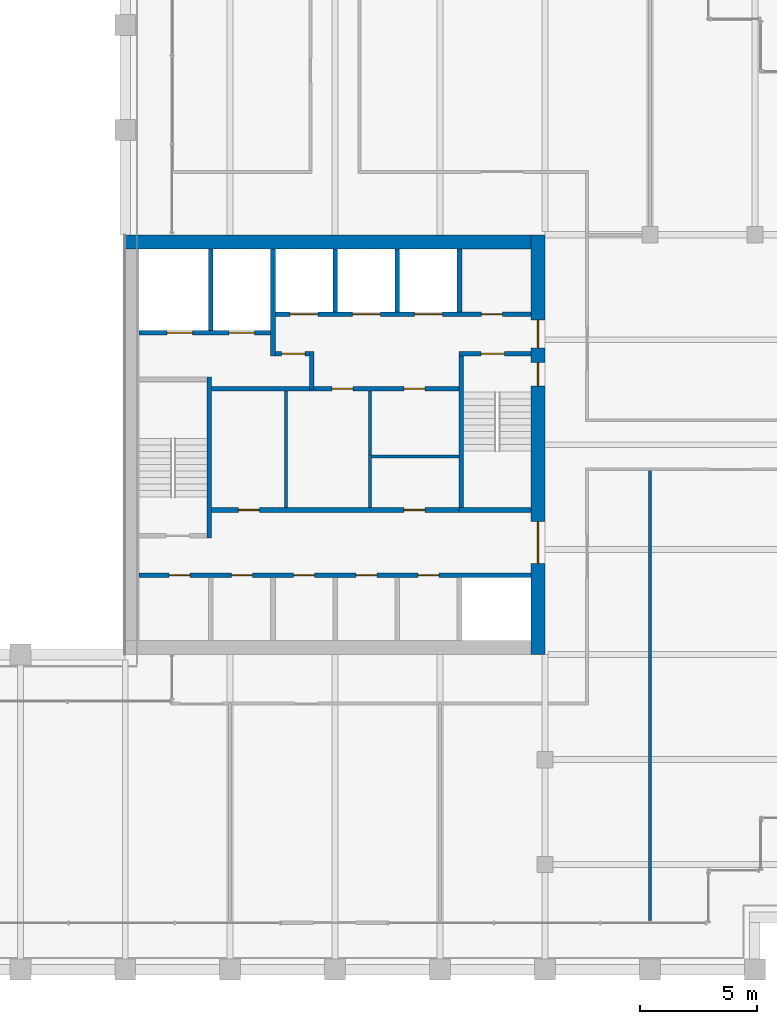
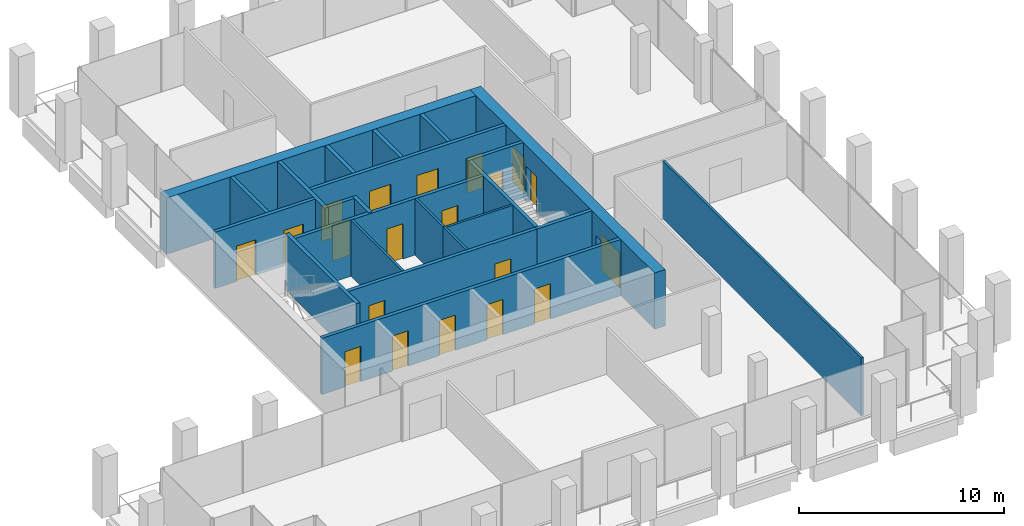
# One storey, part 36 of 40: 23 walls, 20 doors, 20 openings.
"""IFC4 building model written with IfcOpenShell, lengths in metres."""

from ifc_helpers import new_model, si_unit, direction, frame, frame_2d, origin, place, context, subcontext, project, spatial, rectangle, extrude, material, layer, layer_set, type_object, element, fill, save


model = new_model("IFC4")

# Units and contexts
model_context = context("Model", 3, precision=1e-05, world=origin(), true_north=direction((0.0, 1.0)))
body_context = subcontext(model_context, "Body", "Model", "MODEL_VIEW")
ifc_project = project(units=[si_unit("LENGTHUNIT", "METRE"), si_unit("AREAUNIT", "SQUARE_METRE"), si_unit("VOLUMEUNIT", "CUBIC_METRE"), si_unit("PLANEANGLEUNIT", "RADIAN"), si_unit("MASSUNIT", "GRAM", prefix="KILO")], contexts=[model_context])

# Site, building, storey
site_placement = place(None, origin())
site = spatial("IfcSite", under=ifc_project, at=site_placement, CompositionType="ELEMENT")
building_placement = place(site_placement, origin())
building = spatial("IfcBuilding", under=site, at=building_placement, Name="Altepetl Exchange Towers", CompositionType="ELEMENT")
storey_placement = place(building_placement, frame((0.0, 0.0, 161.800048828125)))
storey = spatial("IfcBuildingStorey", under=building, at=storey_placement, Name="L40", CompositionType="ELEMENT", Elevation=161.800048828125)

# Wall, openings, doors
ifc_material_1 = material(Name="Concrete C70/85", Category="concrete")
ifc_layer_1 = layer(ifc_material_1, 0.60009765625)
ifc_layer_set_1 = layer_set([ifc_layer_1], Name="Concrete C70/85")
wall_type_1 = type_object("IfcWallType", Name="Core wall 600 reinforced concrete", PredefinedType="SHEAR", material=ifc_layer_set_1)
wall_1_placement = place(storey_placement, frame((58.199951171875, 40.5, 0.0), z_axis=(0.0, 0.0, 1.0), x_axis=(0.0, 1.0, 0.0)))
wall_1 = element("IfcWall", 1, at=wall_1_placement, inside=storey, type_object=wall_type_1, Name="wall:A:L40:K-coreE", PredefinedType="SHEAR", context=body_context, shape_type="SweptSolid", body=[
    extrude(rectangle(XDim=18.0, YDim=0.60009765625, at=frame_2d((9.0, 0.0))), origin(), (0.0, 0.0, 1.0), 3.349853515625),
])
opening_1_placement = place(wall_1_placement, frame((13.14990234375, 0.0, 0.0)))
opening_1 = element("IfcOpeningElement", 2, at=opening_1_placement, cuts=wall_1, Name="Opening L40.A60", PredefinedType="OPENING", context=body_context, shape_type="SweptSolid", body=[
    extrude(rectangle(XDim=1.199951171875, YDim=2.10009765625, at=frame_2d((0.60009765625, 1.050048828125))), frame((0.0, 0.31005859375, 0.0), z_axis=(0.0, -1.0, 0.0), x_axis=(1.0, 0.0, 0.0)), (0.0, 0.0, 1.0), 0.6201171875),
])
opening_2_placement = place(wall_1_placement, frame((3.89990234375, 0.0, 0.0)))
opening_2 = element("IfcOpeningElement", 3, at=opening_2_placement, cuts=wall_1, Name="Opening L40.A61", PredefinedType="OPENING", context=body_context, shape_type="SweptSolid", body=[
    extrude(rectangle(XDim=1.800048828125, YDim=2.10009765625, at=frame_2d((0.89990234375, 1.050048828125))), frame((0.0, 0.31005859375, 0.0), z_axis=(0.0, -1.0, 0.0), x_axis=(1.0, 0.0, 0.0)), (0.0, 0.0, 1.0), 0.6201171875),
])
opening_3_placement = place(wall_1_placement, frame((11.52490234375, 0.0, 0.0)))
opening_3 = element("IfcOpeningElement", 4, at=opening_3_placement, cuts=wall_1, Name="Opening L40.A64", PredefinedType="OPENING", context=body_context, shape_type="SweptSolid", body=[
    extrude(rectangle(XDim=1.0, YDim=2.10009765625, at=frame_2d((0.5, 1.050048828125))), frame((0.0, 0.31005859375, 0.0), z_axis=(0.0, -1.0, 0.0), x_axis=(1.0, 0.0, 0.0)), (0.0, 0.0, 1.0), 0.6201171875),
])
ifc_material_2 = material(Name="Steel and timber fire door", Category="steel")
door_type_1 = type_object("IfcDoorType", Name="Fire door 1000 x 2100 stair and lobby", OperationType="SINGLE_SWING_LEFT", PredefinedType="DOOR", material=ifc_material_2)
door_1_placement = place(opening_3_placement, origin())
door_1 = element("IfcDoor", 5, at=door_1_placement, inside=storey, type_object=door_type_1, Name="door:A:L40:K-dS2x", OperationType="SINGLE_SWING_RIGHT", OverallHeight=2.10009765625, OverallWidth=1.0, PredefinedType="DOOR", context=body_context, shape_type="SweptSolid", body=[
    extrude(rectangle(XDim=1.0, YDim=2.10009765625, at=frame_2d((0.5, 1.050048828125))), frame((0.0, 0.02490234375, 0.0), z_axis=(0.0, -1.0, 0.0), x_axis=(1.0, 0.0, 0.0)), (0.0, 0.0, 1.0), 0.050048828125),
])
fill(opening_3, door_1)
door_type_2 = type_object("IfcDoorType", Name="Fire door 1200 x 2100 lobby entry", OperationType="SINGLE_SWING_LEFT", PredefinedType="DOOR", material=ifc_material_2)
door_2_placement = place(opening_1_placement, origin())
door_2 = element("IfcDoor", 6, at=door_2_placement, inside=storey, type_object=door_type_2, Name="door:A:L40:K-dLNE", OperationType="SINGLE_SWING_RIGHT", OverallHeight=2.10009765625, OverallWidth=1.199951171875, PredefinedType="DOOR", context=body_context, shape_type="SweptSolid", body=[
    extrude(rectangle(XDim=1.199951171875, YDim=2.10009765625, at=frame_2d((0.60009765625, 1.050048828125))), frame((0.0, 0.02490234375, 0.0), z_axis=(0.0, -1.0, 0.0), x_axis=(1.0, 0.0, 0.0)), (0.0, 0.0, 1.0), 0.050048828125),
])
fill(opening_1, door_2)
door_type_3 = type_object("IfcDoorType", Name="Fire door 1800 x 2100 lobby entry", OperationType="DOUBLE_DOOR_SINGLE_SWING", PredefinedType="DOOR", material=ifc_material_2)
door_3_placement = place(opening_2_placement, origin())
door_3 = element("IfcDoor", 7, at=door_3_placement, inside=storey, type_object=door_type_3, Name="door:A:L40:K-dLSE", OperationType="DOUBLE_DOOR_SINGLE_SWING", OverallHeight=2.10009765625, OverallWidth=1.800048828125, PredefinedType="DOOR", context=body_context, shape_type="SweptSolid", body=[
    extrude(rectangle(XDim=1.800048828125, YDim=2.10009765625, at=frame_2d((0.89990234375, 1.050048828125))), frame((0.0, 0.02490234375, 0.0), z_axis=(0.0, -1.0, 0.0), x_axis=(1.0, 0.0, 0.0)), (0.0, 0.0, 1.0), 0.050048828125),
])
fill(opening_2, door_3)

# Walls
wall_2_placement = place(storey_placement, frame((40.5, 58.199951171875, 0.0)))
element("IfcWall", 8, at=wall_2_placement, inside=storey, type_object=wall_type_1, Name="wall:A:L40:K-coreN", PredefinedType="SHEAR", context=body_context, shape_type="SweptSolid", body=[
    extrude(rectangle(XDim=17.39990234375, YDim=0.60009765625, at=frame_2d((8.699951171875, 0.0))), origin(), (0.0, 0.0, 1.0), 3.349853515625),
])
ifc_material_3 = material(Name="Concrete blockwork", Category="masonry")
ifc_layer_2 = layer(ifc_material_3, 0.199951171875)
ifc_layer_set_2 = layer_set([ifc_layer_2], Name="Concrete blockwork")
wall_type_2 = type_object("IfcWallType", Name="Lobby wall 200 blockwork", PredefinedType="PARTITIONING", material=ifc_layer_set_2)
wall_3_placement = place(storey_placement, frame((48.5, 51.89990234375, 0.0), z_axis=(0.0, 0.0, 1.0), x_axis=(0.0, 1.0, 0.0)))
element("IfcWall", 9, at=wall_3_placement, inside=storey, type_object=wall_type_2, Name="wall:A:L40:K-ffE", PredefinedType="PARTITIONING", context=body_context, shape_type="SweptSolid", body=[
    extrude(rectangle(XDim=1.60009765625, YDim=0.199951171875, at=frame_2d((0.800048828125, 0.0))), origin(), (0.0, 0.0, 1.0), 3.349853515625),
])

# Wall, opening, door
wall_4_placement = place(storey_placement, frame((46.933349609375, 53.39990234375, 0.0)))
wall_4 = element("IfcWall", 10, at=wall_4_placement, inside=storey, type_object=wall_type_2, Name="wall:A:L40:K-ffN", PredefinedType="PARTITIONING", context=body_context, shape_type="SweptSolid", body=[
    extrude(rectangle(XDim=1.466552734375, YDim=0.199951171875, at=frame_2d((0.7333984375, 0.0))), origin(), (0.0, 0.0, 1.0), 3.349853515625),
])
opening_4_placement = place(wall_4_placement, frame((0.2666015625, 0.0, 0.0)))
opening_4 = element("IfcOpeningElement", 11, at=opening_4_placement, cuts=wall_4, Name="Opening L40.A65", PredefinedType="OPENING", context=body_context, shape_type="SweptSolid", body=[
    extrude(rectangle(XDim=1.0, YDim=2.10009765625, at=frame_2d((0.5, 1.050048828125))), frame((0.0, 0.10986328125, 0.0), z_axis=(0.0, -1.0, 0.0), x_axis=(1.0, 0.0, 0.0)), (0.0, 0.0, 1.0), 0.219970703125),
])
door_4_placement = place(opening_4_placement, frame((1.0, 0.0, 0.0), x_axis=(-1.0, 0.0, 0.0)))
door_4 = element("IfcDoor", 12, at=door_4_placement, inside=storey, type_object=door_type_1, Name="door:A:L40:K-dffN", OperationType="SINGLE_SWING_LEFT", OverallHeight=2.10009765625, OverallWidth=1.0, PredefinedType="DOOR", context=body_context, shape_type="SweptSolid", body=[
    extrude(rectangle(XDim=1.0, YDim=2.10009765625, at=frame_2d((0.5, 1.050048828125))), frame((0.0, 0.02490234375, 0.0), z_axis=(0.0, -1.0, 0.0), x_axis=(1.0, 0.0, 0.0)), (0.0, 0.0, 1.0), 0.050048828125),
])
fill(opening_4, door_4)

# Wall, openings, doors
wall_5_placement = place(storey_placement, frame((44.199951171875, 51.89990234375, 0.0)))
wall_5 = element("IfcWall", 13, at=wall_5_placement, inside=storey, type_object=wall_type_2, Name="wall:A:L40:K-zoneN", PredefinedType="PARTITIONING", context=body_context, shape_type="SweptSolid", body=[
    extrude(rectangle(XDim=10.60009765625, YDim=0.199951171875, at=frame_2d((5.300048828125, 0.0))), origin(), (0.0, 0.0, 1.0), 3.349853515625),
])
opening_5_placement = place(wall_5_placement, frame((5.175048828125, 0.0, 0.0)))
opening_5 = element("IfcOpeningElement", 14, at=opening_5_placement, cuts=wall_5, Name="Opening L40.A73", PredefinedType="OPENING", context=body_context, shape_type="SweptSolid", body=[
    extrude(rectangle(XDim=0.89990234375, YDim=2.10009765625, at=frame_2d((0.449951171875, 1.050048828125))), frame((0.0, 0.10986328125, 0.0), z_axis=(0.0, -1.0, 0.0), x_axis=(1.0, 0.0, 0.0)), (0.0, 0.0, 1.0), 0.219970703125),
])
opening_6_placement = place(wall_5_placement, frame((8.25, 0.0, 0.0)))
opening_6 = element("IfcOpeningElement", 15, at=opening_6_placement, cuts=wall_5, Name="Opening L40.A75", PredefinedType="OPENING", context=body_context, shape_type="SweptSolid", body=[
    extrude(rectangle(XDim=0.89990234375, YDim=2.10009765625, at=frame_2d((0.449951171875, 1.050048828125))), frame((0.0, 0.10986328125, 0.0), z_axis=(0.0, -1.0, 0.0), x_axis=(1.0, 0.0, 0.0)), (0.0, 0.0, 1.0), 0.219970703125),
])
door_type_4 = type_object("IfcDoorType", Name="Fire door 900 x 2100 service room", OperationType="SINGLE_SWING_LEFT", PredefinedType="DOOR", material=ifc_material_2)
door_5_placement = place(opening_5_placement, frame((0.89990234375, 0.0, 0.0), x_axis=(-1.0, 0.0, 0.0)))
door_5 = element("IfcDoor", 16, at=door_5_placement, inside=storey, type_object=door_type_4, Name="door:A:L40:K-dz2", OperationType="SINGLE_SWING_LEFT", OverallHeight=2.10009765625, OverallWidth=0.89990234375, PredefinedType="DOOR", context=body_context, shape_type="SweptSolid", body=[
    extrude(rectangle(XDim=0.89990234375, YDim=2.10009765625, at=frame_2d((0.449951171875, 1.050048828125))), frame((0.0, 0.02490234375, 0.0), z_axis=(0.0, -1.0, 0.0), x_axis=(1.0, 0.0, 0.0)), (0.0, 0.0, 1.0), 0.050048828125),
])
fill(opening_5, door_5)
door_6_placement = place(opening_6_placement, frame((0.89990234375, 0.0, 0.0), x_axis=(-1.0, 0.0, 0.0)))
door_6 = element("IfcDoor", 17, at=door_6_placement, inside=storey, type_object=door_type_4, Name="door:A:L40:K-dz4", OperationType="SINGLE_SWING_LEFT", OverallHeight=2.10009765625, OverallWidth=0.89990234375, PredefinedType="DOOR", context=body_context, shape_type="SweptSolid", body=[
    extrude(rectangle(XDim=0.89990234375, YDim=2.10009765625, at=frame_2d((0.449951171875, 1.050048828125))), frame((0.0, 0.02490234375, 0.0), z_axis=(0.0, -1.0, 0.0), x_axis=(1.0, 0.0, 0.0)), (0.0, 0.0, 1.0), 0.050048828125),
])
fill(opening_6, door_6)

wall_6_placement = place(storey_placement, frame((44.199951171875, 46.699951171875, 0.0)))
wall_6 = element("IfcWall", 18, at=wall_6_placement, inside=storey, type_object=wall_type_2, Name="wall:A:L40:K-zoneS", PredefinedType="PARTITIONING", context=body_context, shape_type="SweptSolid", body=[
    extrude(rectangle(XDim=10.60009765625, YDim=0.199951171875, at=frame_2d((5.300048828125, 0.0))), origin(), (0.0, 0.0, 1.0), 3.349853515625),
])
opening_7_placement = place(wall_6_placement, frame((1.14990234375, 0.0, 0.0)))
opening_7 = element("IfcOpeningElement", 19, at=opening_7_placement, cuts=wall_6, Name="Opening L40.A72", PredefinedType="OPENING", context=body_context, shape_type="SweptSolid", body=[
    extrude(rectangle(XDim=0.89990234375, YDim=2.10009765625, at=frame_2d((0.449951171875, 1.050048828125))), frame((0.0, 0.10986328125, 0.0), z_axis=(0.0, -1.0, 0.0), x_axis=(1.0, 0.0, 0.0)), (0.0, 0.0, 1.0), 0.219970703125),
])
opening_8_placement = place(wall_6_placement, frame((8.25, 0.0, 0.0)))
opening_8 = element("IfcOpeningElement", 20, at=opening_8_placement, cuts=wall_6, Name="Opening L40.A74", PredefinedType="OPENING", context=body_context, shape_type="SweptSolid", body=[
    extrude(rectangle(XDim=0.89990234375, YDim=2.10009765625, at=frame_2d((0.449951171875, 1.050048828125))), frame((0.0, 0.10986328125, 0.0), z_axis=(0.0, -1.0, 0.0), x_axis=(1.0, 0.0, 0.0)), (0.0, 0.0, 1.0), 0.219970703125),
])
door_7_placement = place(opening_7_placement, origin())
door_7 = element("IfcDoor", 21, at=door_7_placement, inside=storey, type_object=door_type_4, Name="door:A:L40:K-dz1", OperationType="SINGLE_SWING_RIGHT", OverallHeight=2.10009765625, OverallWidth=0.89990234375, PredefinedType="DOOR", context=body_context, shape_type="SweptSolid", body=[
    extrude(rectangle(XDim=0.89990234375, YDim=2.10009765625, at=frame_2d((0.449951171875, 1.050048828125))), frame((0.0, 0.02490234375, 0.0), z_axis=(0.0, -1.0, 0.0), x_axis=(1.0, 0.0, 0.0)), (0.0, 0.0, 1.0), 0.050048828125),
])
fill(opening_7, door_7)
door_8_placement = place(opening_8_placement, origin())
door_8 = element("IfcDoor", 22, at=door_8_placement, inside=storey, type_object=door_type_4, Name="door:A:L40:K-dz3", OperationType="SINGLE_SWING_RIGHT", OverallHeight=2.10009765625, OverallWidth=0.89990234375, PredefinedType="DOOR", context=body_context, shape_type="SweptSolid", body=[
    extrude(rectangle(XDim=0.89990234375, YDim=2.10009765625, at=frame_2d((0.449951171875, 1.050048828125))), frame((0.0, 0.02490234375, 0.0), z_axis=(0.0, -1.0, 0.0), x_axis=(1.0, 0.0, 0.0)), (0.0, 0.0, 1.0), 0.050048828125),
])
fill(opening_8, door_8)

# Walls
ifc_material_4 = material(Name="Gypsum board on steel studs", Category="steel")
ifc_layer_3 = layer(ifc_material_4, 0.125)
ifc_layer_set_3 = layer_set([ifc_layer_3], Name="Gypsum board on steel studs")
wall_type_3 = type_object("IfcWallType", Name="Partition 125 gypsum board on steel studs", PredefinedType="PARTITIONING", material=ifc_layer_set_3)
wall_7_placement = place(storey_placement, frame((47.39990234375, 46.800048828125, 0.0), z_axis=(0.0, 0.0, 1.0), x_axis=(0.0, 1.0, 0.0)))
element("IfcWall", 23, at=wall_7_placement, inside=storey, type_object=wall_type_3, Name="wall:A:L40:K-zp1", PredefinedType="PARTITIONING", context=body_context, shape_type="SweptSolid", body=[
    extrude(rectangle(XDim=5.0, YDim=0.125, at=frame_2d((2.5, 0.0))), origin(), (0.0, 0.0, 1.0), 3.349853515625),
])
wall_8_placement = place(storey_placement, frame((51.0, 46.800048828125, 0.0), z_axis=(0.0, 0.0, 1.0), x_axis=(0.0, 1.0, 0.0)))
element("IfcWall", 24, at=wall_8_placement, inside=storey, type_object=wall_type_3, Name="wall:A:L40:K-zp2", PredefinedType="PARTITIONING", context=body_context, shape_type="SweptSolid", body=[
    extrude(rectangle(XDim=2.262451171875, YDim=0.125, at=frame_2d((1.13134765625, 0.0))), origin(), (0.0, 0.0, 1.0), 3.349853515625),
])
wall_9_placement = place(storey_placement, frame((54.800048828125, 49.0, 0.0), z_axis=(0.0, 0.0, 1.0), x_axis=(-1.0, 0.0, 0.0)))
element("IfcWall", 25, at=wall_9_placement, inside=storey, type_object=wall_type_3, Name="wall:A:L40:K-zp3", PredefinedType="PARTITIONING", context=body_context, shape_type="SweptSolid", body=[
    extrude(rectangle(XDim=3.737548828125, YDim=0.125, at=frame_2d((1.86865234375, 0.0))), origin(), (0.0, 0.0, 1.0), 3.349853515625),
])
wall_10_placement = place(storey_placement, frame((51.0, 49.0, 0.0), z_axis=(0.0, 0.0, 1.0), x_axis=(0.0, 1.0, 0.0)))
element("IfcWall", 26, at=wall_10_placement, inside=storey, type_object=wall_type_3, Name="wall:A:L40:K-zp4", PredefinedType="PARTITIONING", context=body_context, shape_type="SweptSolid", body=[
    extrude(rectangle(XDim=2.800048828125, YDim=0.125, at=frame_2d((1.39990234375, 0.0))), origin(), (0.0, 0.0, 1.0), 3.349853515625),
])
wall_11_placement = place(storey_placement, frame((63.0, 29.10009765625, 0.0), z_axis=(0.0, 0.0, 1.0), x_axis=(0.0, 1.0, 0.0)))
element("IfcWall", 27, at=wall_11_placement, inside=storey, type_object=wall_type_3, Name="wall:A:L40:P13", PredefinedType="PARTITIONING", context=body_context, shape_type="SweptSolid", body=[
    extrude(rectangle(XDim=19.349853515625, YDim=0.125, at=frame_2d((9.6748046875, 0.0))), origin(), (0.0, 0.0, 1.0), 3.449951171875),
])
ifc_material_5 = material(Name="Concrete C40/50", Category="concrete")
ifc_layer_4 = layer(ifc_material_5, 0.199951171875)
ifc_layer_set_4 = layer_set([ifc_layer_4], Name="Concrete C40/50")
wall_type_4 = type_object("IfcWallType", Name="Shaft wall 200 reinforced concrete", PredefinedType="SHEAR", material=ifc_layer_set_4)
wall_12_placement = place(storey_placement, frame((44.166748046875, 57.89990234375, 0.0), z_axis=(0.0, 0.0, 1.0), x_axis=(0.0, -1.0, 0.0)))
element("IfcWall", 28, at=wall_12_placement, inside=storey, type_object=wall_type_4, Name="wall:A:L40:K-divN1", PredefinedType="SHEAR", context=body_context, shape_type="SweptSolid", body=[
    extrude(rectangle(XDim=3.5, YDim=0.199951171875, at=frame_2d((1.75, 0.0))), origin(), (0.0, 0.0, 1.0), 3.349853515625),
])
wall_13_placement = place(storey_placement, frame((46.833251953125, 57.89990234375, 0.0), z_axis=(0.0, 0.0, 1.0), x_axis=(0.0, -1.0, 0.0)))
element("IfcWall", 29, at=wall_13_placement, inside=storey, type_object=wall_type_4, Name="wall:A:L40:K-divN2", PredefinedType="SHEAR", context=body_context, shape_type="SweptSolid", body=[
    extrude(rectangle(XDim=4.599853515625, YDim=0.199951171875, at=frame_2d((2.2998046875, 0.0))), origin(), (0.0, 0.0, 1.0), 3.349853515625),
])
for number, where, z_axis, x_axis, name in (
    (30, (49.5, 57.89990234375, 0.0), (0.0, 0.0, 1.0), (0.0, -1.0, 0.0), "wall:A:L40:K-divN3"),
    (31, (52.166748046875, 57.89990234375, 0.0), (0.0, 0.0, 1.0), (0.0, -1.0, 0.0), "wall:A:L40:K-divN4"),
    (32, (54.833251953125, 57.89990234375, 0.0), (0.0, 0.0, 1.0), (0.0, -1.0, 0.0), "wall:A:L40:K-divN5"),
):
    element("IfcWall", number, at=place(storey_placement, frame(where, z_axis=z_axis, x_axis=x_axis)), inside=storey, type_object=wall_type_4, Name=name, PredefinedType="SHEAR", context=body_context, shape_type="SweptSolid", body=[
        extrude(rectangle(XDim=2.699951171875, YDim=0.199951171875, at=frame_2d((1.35009765625, 0.0))), origin(), (0.0, 0.0, 1.0), 3.349853515625),
    ])

# Wall, openings, doors
wall_14_placement = place(storey_placement, frame((46.933349609375, 55.10009765625, 0.0)))
wall_14 = element("IfcWall", 33, at=wall_14_placement, inside=storey, type_object=wall_type_4, Name="wall:A:L40:K-frontNb", PredefinedType="SHEAR", context=body_context, shape_type="SweptSolid", body=[
    extrude(rectangle(XDim=10.966552734375, YDim=0.199951171875, at=frame_2d((5.4833984375, 0.0))), origin(), (0.0, 0.0, 1.0), 3.349853515625),
])
opening_9_placement = place(wall_14_placement, frame((8.83349609375, 0.0, 0.0)))
opening_9 = element("IfcOpeningElement", 34, at=opening_9_placement, cuts=wall_14, Name="Opening L40.A66", PredefinedType="OPENING", context=body_context, shape_type="SweptSolid", body=[
    extrude(rectangle(XDim=0.89990234375, YDim=2.10009765625, at=frame_2d((0.449951171875, 1.050048828125))), frame((0.0, 0.10986328125, 0.0), z_axis=(0.0, -1.0, 0.0), x_axis=(1.0, 0.0, 0.0)), (0.0, 0.0, 1.0), 0.219970703125),
])
opening_10_placement = place(wall_14_placement, frame((0.63330078125, 0.0, 0.0)))
opening_10 = element("IfcOpeningElement", 35, at=opening_10_placement, cuts=wall_14, Name="Opening L40.A78", PredefinedType="OPENING", context=body_context, shape_type="SweptSolid", body=[
    extrude(rectangle(XDim=1.199951171875, YDim=2.10009765625, at=frame_2d((0.60009765625, 1.050048828125))), frame((0.0, 0.10986328125, 0.0), z_axis=(0.0, -1.0, 0.0), x_axis=(1.0, 0.0, 0.0)), (0.0, 0.0, 1.0), 0.219970703125),
])
opening_11_placement = place(wall_14_placement, frame((3.300048828125, 0.0, 0.0)))
opening_11 = element("IfcOpeningElement", 36, at=opening_11_placement, cuts=wall_14, Name="Opening L40.A79", PredefinedType="OPENING", context=body_context, shape_type="SweptSolid", body=[
    extrude(rectangle(XDim=1.199951171875, YDim=2.10009765625, at=frame_2d((0.60009765625, 1.050048828125))), frame((0.0, 0.10986328125, 0.0), z_axis=(0.0, -1.0, 0.0), x_axis=(1.0, 0.0, 0.0)), (0.0, 0.0, 1.0), 0.219970703125),
])
opening_12_placement = place(wall_14_placement, frame((5.966796875, 0.0, 0.0)))
opening_12 = element("IfcOpeningElement", 37, at=opening_12_placement, cuts=wall_14, Name="Opening L40.A80", PredefinedType="OPENING", context=body_context, shape_type="SweptSolid", body=[
    extrude(rectangle(XDim=1.199951171875, YDim=2.10009765625, at=frame_2d((0.60009765625, 1.050048828125))), frame((0.0, 0.10986328125, 0.0), z_axis=(0.0, -1.0, 0.0), x_axis=(1.0, 0.0, 0.0)), (0.0, 0.0, 1.0), 0.219970703125),
])
door_9_placement = place(opening_9_placement, origin())
door_9 = element("IfcDoor", 38, at=door_9_placement, inside=storey, type_object=door_type_4, Name="door:A:L40:K-driser", OperationType="SINGLE_SWING_RIGHT", OverallHeight=2.10009765625, OverallWidth=0.89990234375, PredefinedType="DOOR", context=body_context, shape_type="SweptSolid", body=[
    extrude(rectangle(XDim=0.89990234375, YDim=2.10009765625, at=frame_2d((0.449951171875, 1.050048828125))), frame((0.0, 0.02490234375, 0.0), z_axis=(0.0, -1.0, 0.0), x_axis=(1.0, 0.0, 0.0)), (0.0, 0.0, 1.0), 0.050048828125),
])
fill(opening_9, door_9)
ifc_material_6 = material(Name="Stainless steel", Category="steel")
door_type_5 = type_object("IfcDoorType", Name="Lift landing door 1200 x 2100", OperationType="SLIDING_TO_LEFT", PredefinedType="DOOR", material=ifc_material_6)
door_10_placement = place(opening_10_placement, origin())
door_10 = element("IfcDoor", 39, at=door_10_placement, inside=storey, type_object=door_type_5, Name="Landing door P5", OperationType="SLIDING_TO_LEFT", OverallHeight=2.10009765625, OverallWidth=1.199951171875, PredefinedType="DOOR", context=body_context, shape_type="SweptSolid", body=[
    extrude(rectangle(XDim=1.199951171875, YDim=2.10009765625, at=frame_2d((0.60009765625, 1.050048828125))), frame((0.0, 0.02490234375, 0.0), z_axis=(0.0, -1.0, 0.0), x_axis=(1.0, 0.0, 0.0)), (0.0, 0.0, 1.0), 0.050048828125),
])
fill(opening_10, door_10)
door_11_placement = place(opening_11_placement, origin())
door_11 = element("IfcDoor", 40, at=door_11_placement, inside=storey, type_object=door_type_5, Name="Landing door P6", OperationType="SLIDING_TO_LEFT", OverallHeight=2.10009765625, OverallWidth=1.199951171875, PredefinedType="DOOR", context=body_context, shape_type="SweptSolid", body=[
    extrude(rectangle(XDim=1.199951171875, YDim=2.10009765625, at=frame_2d((0.60009765625, 1.050048828125))), frame((0.0, 0.02490234375, 0.0), z_axis=(0.0, -1.0, 0.0), x_axis=(1.0, 0.0, 0.0)), (0.0, 0.0, 1.0), 0.050048828125),
])
fill(opening_11, door_11)
door_12_placement = place(opening_12_placement, origin())
door_12 = element("IfcDoor", 41, at=door_12_placement, inside=storey, type_object=door_type_5, Name="Landing door P7", OperationType="SLIDING_TO_LEFT", OverallHeight=2.10009765625, OverallWidth=1.199951171875, PredefinedType="DOOR", context=body_context, shape_type="SweptSolid", body=[
    extrude(rectangle(XDim=1.199951171875, YDim=2.10009765625, at=frame_2d((0.60009765625, 1.050048828125))), frame((0.0, 0.02490234375, 0.0), z_axis=(0.0, -1.0, 0.0), x_axis=(1.0, 0.0, 0.0)), (0.0, 0.0, 1.0), 0.050048828125),
])
fill(opening_12, door_12)

wall_15_placement = place(storey_placement, frame((41.10009765625, 54.300048828125, 0.0)))
wall_15 = element("IfcWall", 42, at=wall_15_placement, inside=storey, type_object=wall_type_4, Name="wall:A:L40:K-frontNd", PredefinedType="SHEAR", context=body_context, shape_type="SweptSolid", body=[
    extrude(rectangle(XDim=5.63330078125, YDim=0.199951171875, at=frame_2d((2.816650390625, 0.0))), origin(), (0.0, 0.0, 1.0), 3.349853515625),
])
opening_13_placement = place(wall_15_placement, frame((1.183349609375, 0.0, 0.0)))
opening_13 = element("IfcOpeningElement", 43, at=opening_13_placement, cuts=wall_15, Name="Opening L40.A76", PredefinedType="OPENING", context=body_context, shape_type="SweptSolid", body=[
    extrude(rectangle(XDim=1.10009765625, YDim=2.10009765625, at=frame_2d((0.550048828125, 1.050048828125))), frame((0.0, 0.10986328125, 0.0), z_axis=(0.0, -1.0, 0.0), x_axis=(1.0, 0.0, 0.0)), (0.0, 0.0, 1.0), 0.219970703125),
])
opening_14_placement = place(wall_15_placement, frame((3.85009765625, 0.0, 0.0)))
opening_14 = element("IfcOpeningElement", 44, at=opening_14_placement, cuts=wall_15, Name="Opening L40.A77", PredefinedType="OPENING", context=body_context, shape_type="SweptSolid", body=[
    extrude(rectangle(XDim=1.10009765625, YDim=2.10009765625, at=frame_2d((0.550048828125, 1.050048828125))), frame((0.0, 0.10986328125, 0.0), z_axis=(0.0, -1.0, 0.0), x_axis=(1.0, 0.0, 0.0)), (0.0, 0.0, 1.0), 0.219970703125),
])
door_type_6 = type_object("IfcDoorType", Name="Lift landing door 1100 x 2100", OperationType="SLIDING_TO_LEFT", PredefinedType="DOOR", material=ifc_material_6)
door_13_placement = place(opening_13_placement, origin())
door_13 = element("IfcDoor", 45, at=door_13_placement, inside=storey, type_object=door_type_6, Name="Landing door FFL1", OperationType="SLIDING_TO_LEFT", OverallHeight=2.10009765625, OverallWidth=1.10009765625, PredefinedType="DOOR", context=body_context, shape_type="SweptSolid", body=[
    extrude(rectangle(XDim=1.10009765625, YDim=2.10009765625, at=frame_2d((0.550048828125, 1.050048828125))), frame((0.0, 0.02490234375, 0.0), z_axis=(0.0, -1.0, 0.0), x_axis=(1.0, 0.0, 0.0)), (0.0, 0.0, 1.0), 0.050048828125),
])
fill(opening_13, door_13)
door_14_placement = place(opening_14_placement, origin())
door_14 = element("IfcDoor", 46, at=door_14_placement, inside=storey, type_object=door_type_6, Name="Landing door FFL2", OperationType="SLIDING_TO_LEFT", OverallHeight=2.10009765625, OverallWidth=1.10009765625, PredefinedType="DOOR", context=body_context, shape_type="SweptSolid", body=[
    extrude(rectangle(XDim=1.10009765625, YDim=2.10009765625, at=frame_2d((0.550048828125, 1.050048828125))), frame((0.0, 0.02490234375, 0.0), z_axis=(0.0, -1.0, 0.0), x_axis=(1.0, 0.0, 0.0)), (0.0, 0.0, 1.0), 0.050048828125),
])
fill(opening_14, door_14)

wall_16_placement = place(storey_placement, frame((41.10009765625, 43.89990234375, 0.0)))
wall_16 = element("IfcWall", 47, at=wall_16_placement, inside=storey, type_object=wall_type_4, Name="wall:A:L40:K-frontS", PredefinedType="SHEAR", context=body_context, shape_type="SweptSolid", body=[
    extrude(rectangle(XDim=16.7998046875, YDim=0.199951171875, at=frame_2d((8.39990234375, 0.0))), origin(), (0.0, 0.0, 1.0), 3.349853515625),
])
opening_15_placement = place(wall_16_placement, frame((1.283203125, 0.0, 0.0)))
opening_15 = element("IfcOpeningElement", 48, at=opening_15_placement, cuts=wall_16, Name="Opening L40.A67", PredefinedType="OPENING", context=body_context, shape_type="SweptSolid", body=[
    extrude(rectangle(XDim=0.89990234375, YDim=2.10009765625, at=frame_2d((0.449951171875, 1.050048828125))), frame((0.0, 0.10986328125, 0.0), z_axis=(0.0, -1.0, 0.0), x_axis=(1.0, 0.0, 0.0)), (0.0, 0.0, 1.0), 0.219970703125),
])
opening_16_placement = place(wall_16_placement, frame((3.949951171875, 0.0, 0.0)))
opening_16 = element("IfcOpeningElement", 49, at=opening_16_placement, cuts=wall_16, Name="Opening L40.A68", PredefinedType="OPENING", context=body_context, shape_type="SweptSolid", body=[
    extrude(rectangle(XDim=0.89990234375, YDim=2.10009765625, at=frame_2d((0.449951171875, 1.050048828125))), frame((0.0, 0.10986328125, 0.0), z_axis=(0.0, -1.0, 0.0), x_axis=(1.0, 0.0, 0.0)), (0.0, 0.0, 1.0), 0.219970703125),
])
opening_17_placement = place(wall_16_placement, frame((6.61669921875, 0.0, 0.0)))
opening_17 = element("IfcOpeningElement", 50, at=opening_17_placement, cuts=wall_16, Name="Opening L40.A69", PredefinedType="OPENING", context=body_context, shape_type="SweptSolid", body=[
    extrude(rectangle(XDim=0.89990234375, YDim=2.10009765625, at=frame_2d((0.449951171875, 1.050048828125))), frame((0.0, 0.10986328125, 0.0), z_axis=(0.0, -1.0, 0.0), x_axis=(1.0, 0.0, 0.0)), (0.0, 0.0, 1.0), 0.219970703125),
])
opening_18_placement = place(wall_16_placement, frame((9.283203125, 0.0, 0.0)))
opening_18 = element("IfcOpeningElement", 51, at=opening_18_placement, cuts=wall_16, Name="Opening L40.A70", PredefinedType="OPENING", context=body_context, shape_type="SweptSolid", body=[
    extrude(rectangle(XDim=0.89990234375, YDim=2.10009765625, at=frame_2d((0.449951171875, 1.050048828125))), frame((0.0, 0.10986328125, 0.0), z_axis=(0.0, -1.0, 0.0), x_axis=(1.0, 0.0, 0.0)), (0.0, 0.0, 1.0), 0.219970703125),
])
opening_19_placement = place(wall_16_placement, frame((11.949951171875, 0.0, 0.0)))
opening_19 = element("IfcOpeningElement", 52, at=opening_19_placement, cuts=wall_16, Name="Opening L40.A71", PredefinedType="OPENING", context=body_context, shape_type="SweptSolid", body=[
    extrude(rectangle(XDim=0.89990234375, YDim=2.10009765625, at=frame_2d((0.449951171875, 1.050048828125))), frame((0.0, 0.10986328125, 0.0), z_axis=(0.0, -1.0, 0.0), x_axis=(1.0, 0.0, 0.0)), (0.0, 0.0, 1.0), 0.219970703125),
])
door_15_placement = place(opening_15_placement, frame((0.89990234375, 0.0, 0.0), x_axis=(-1.0, 0.0, 0.0)))
door_15 = element("IfcDoor", 53, at=door_15_placement, inside=storey, type_object=door_type_4, Name="door:A:L40:K-dslotS0", OperationType="SINGLE_SWING_LEFT", OverallHeight=2.10009765625, OverallWidth=0.89990234375, PredefinedType="DOOR", context=body_context, shape_type="SweptSolid", body=[
    extrude(rectangle(XDim=0.89990234375, YDim=2.10009765625, at=frame_2d((0.449951171875, 1.050048828125))), frame((0.0, 0.02490234375, 0.0), z_axis=(0.0, -1.0, 0.0), x_axis=(1.0, 0.0, 0.0)), (0.0, 0.0, 1.0), 0.050048828125),
])
fill(opening_15, door_15)
door_16_placement = place(opening_16_placement, frame((0.89990234375, 0.0, 0.0), x_axis=(-1.0, 0.0, 0.0)))
door_16 = element("IfcDoor", 54, at=door_16_placement, inside=storey, type_object=door_type_4, Name="door:A:L40:K-dslotS1", OperationType="SINGLE_SWING_LEFT", OverallHeight=2.10009765625, OverallWidth=0.89990234375, PredefinedType="DOOR", context=body_context, shape_type="SweptSolid", body=[
    extrude(rectangle(XDim=0.89990234375, YDim=2.10009765625, at=frame_2d((0.449951171875, 1.050048828125))), frame((0.0, 0.02490234375, 0.0), z_axis=(0.0, -1.0, 0.0), x_axis=(1.0, 0.0, 0.0)), (0.0, 0.0, 1.0), 0.050048828125),
])
fill(opening_16, door_16)
door_17_placement = place(opening_17_placement, frame((0.89990234375, 0.0, 0.0), x_axis=(-1.0, 0.0, 0.0)))
door_17 = element("IfcDoor", 55, at=door_17_placement, inside=storey, type_object=door_type_4, Name="door:A:L40:K-dslotS2", OperationType="SINGLE_SWING_LEFT", OverallHeight=2.10009765625, OverallWidth=0.89990234375, PredefinedType="DOOR", context=body_context, shape_type="SweptSolid", body=[
    extrude(rectangle(XDim=0.89990234375, YDim=2.10009765625, at=frame_2d((0.449951171875, 1.050048828125))), frame((0.0, 0.02490234375, 0.0), z_axis=(0.0, -1.0, 0.0), x_axis=(1.0, 0.0, 0.0)), (0.0, 0.0, 1.0), 0.050048828125),
])
fill(opening_17, door_17)
door_18_placement = place(opening_18_placement, frame((0.89990234375, 0.0, 0.0), x_axis=(-1.0, 0.0, 0.0)))
door_18 = element("IfcDoor", 56, at=door_18_placement, inside=storey, type_object=door_type_4, Name="door:A:L40:K-dslotS3", OperationType="SINGLE_SWING_LEFT", OverallHeight=2.10009765625, OverallWidth=0.89990234375, PredefinedType="DOOR", context=body_context, shape_type="SweptSolid", body=[
    extrude(rectangle(XDim=0.89990234375, YDim=2.10009765625, at=frame_2d((0.449951171875, 1.050048828125))), frame((0.0, 0.02490234375, 0.0), z_axis=(0.0, -1.0, 0.0), x_axis=(1.0, 0.0, 0.0)), (0.0, 0.0, 1.0), 0.050048828125),
])
fill(opening_18, door_18)
door_19_placement = place(opening_19_placement, frame((0.89990234375, 0.0, 0.0), x_axis=(-1.0, 0.0, 0.0)))
door_19 = element("IfcDoor", 57, at=door_19_placement, inside=storey, type_object=door_type_4, Name="door:A:L40:K-dslotS4", OperationType="SINGLE_SWING_LEFT", OverallHeight=2.10009765625, OverallWidth=0.89990234375, PredefinedType="DOOR", context=body_context, shape_type="SweptSolid", body=[
    extrude(rectangle(XDim=0.89990234375, YDim=2.10009765625, at=frame_2d((0.449951171875, 1.050048828125))), frame((0.0, 0.02490234375, 0.0), z_axis=(0.0, -1.0, 0.0), x_axis=(1.0, 0.0, 0.0)), (0.0, 0.0, 1.0), 0.050048828125),
])
fill(opening_19, door_19)

# Wall
ifc_layer_5 = layer(ifc_material_5, 0.199951171875)
ifc_layer_set_5 = layer_set([ifc_layer_5], Name="Concrete C40/50")
wall_type_5 = type_object("IfcWallType", Name="Stair wall 200 reinforced concrete", PredefinedType="SHEAR", material=ifc_layer_set_5)
wall_17_placement = place(storey_placement, frame((44.10009765625, 45.5, 0.0), z_axis=(0.0, 0.0, 1.0), x_axis=(0.0, 1.0, 0.0)))
element("IfcWall", 58, at=wall_17_placement, inside=storey, type_object=wall_type_5, Name="wall:A:L40:K-stS1E", PredefinedType="SHEAR", context=body_context, shape_type="SweptSolid", body=[
    extrude(rectangle(XDim=6.89990234375, YDim=0.199951171875, at=frame_2d((3.449951171875, 0.0))), origin(), (0.0, 0.0, 1.0), 3.349853515625),
])

# Wall, opening, door
wall_18_placement = place(storey_placement, frame((54.800048828125, 53.39990234375, 0.0)))
wall_18 = element("IfcWall", 59, at=wall_18_placement, inside=storey, type_object=wall_type_5, Name="wall:A:L40:K-stS2N", PredefinedType="SHEAR", context=body_context, shape_type="SweptSolid", body=[
    extrude(rectangle(XDim=3.099853515625, YDim=0.199951171875, at=frame_2d((1.5498046875, 0.0))), origin(), (0.0, 0.0, 1.0), 3.349853515625),
])
opening_20_placement = place(wall_18_placement, frame((0.949951171875, 0.0, 0.0)))
opening_20 = element("IfcOpeningElement", 60, at=opening_20_placement, cuts=wall_18, Name="Opening L40.A63", PredefinedType="OPENING", context=body_context, shape_type="SweptSolid", body=[
    extrude(rectangle(XDim=1.0, YDim=2.10009765625, at=frame_2d((0.5, 1.050048828125))), frame((0.0, 0.10986328125, 0.0), z_axis=(0.0, -1.0, 0.0), x_axis=(1.0, 0.0, 0.0)), (0.0, 0.0, 1.0), 0.219970703125),
])
door_20_placement = place(opening_20_placement, frame((1.0, 0.0, 0.0), x_axis=(-1.0, 0.0, 0.0)))
door_20 = element("IfcDoor", 61, at=door_20_placement, inside=storey, type_object=door_type_1, Name="door:A:L40:K-dS2in", OperationType="SINGLE_SWING_LEFT", OverallHeight=2.10009765625, OverallWidth=1.0, PredefinedType="DOOR", context=body_context, shape_type="SweptSolid", body=[
    extrude(rectangle(XDim=1.0, YDim=2.10009765625, at=frame_2d((0.5, 1.050048828125))), frame((0.0, 0.02490234375, 0.0), z_axis=(0.0, -1.0, 0.0), x_axis=(1.0, 0.0, 0.0)), (0.0, 0.0, 1.0), 0.050048828125),
])
fill(opening_20, door_20)

# Walls
wall_19_placement = place(storey_placement, frame((54.800048828125, 46.699951171875, 0.0)))
element("IfcWall", 62, at=wall_19_placement, inside=storey, type_object=wall_type_5, Name="wall:A:L40:K-stS2S", PredefinedType="SHEAR", context=body_context, shape_type="SweptSolid", body=[
    extrude(rectangle(XDim=3.099853515625, YDim=0.199951171875, at=frame_2d((1.5498046875, 0.0))), origin(), (0.0, 0.0, 1.0), 3.349853515625),
])
wall_20_placement = place(storey_placement, frame((54.89990234375, 46.800048828125, 0.0), z_axis=(0.0, 0.0, 1.0), x_axis=(0.0, 1.0, 0.0)))
element("IfcWall", 63, at=wall_20_placement, inside=storey, type_object=wall_type_5, Name="wall:A:L40:K-stS2W", PredefinedType="SHEAR", context=body_context, shape_type="SweptSolid", body=[
    extrude(rectangle(XDim=6.5, YDim=0.199951171875, at=frame_2d((3.25, 0.0))), origin(), (0.0, 0.0, 1.0), 3.349853515625),
])

save(model, "model.ifc")
